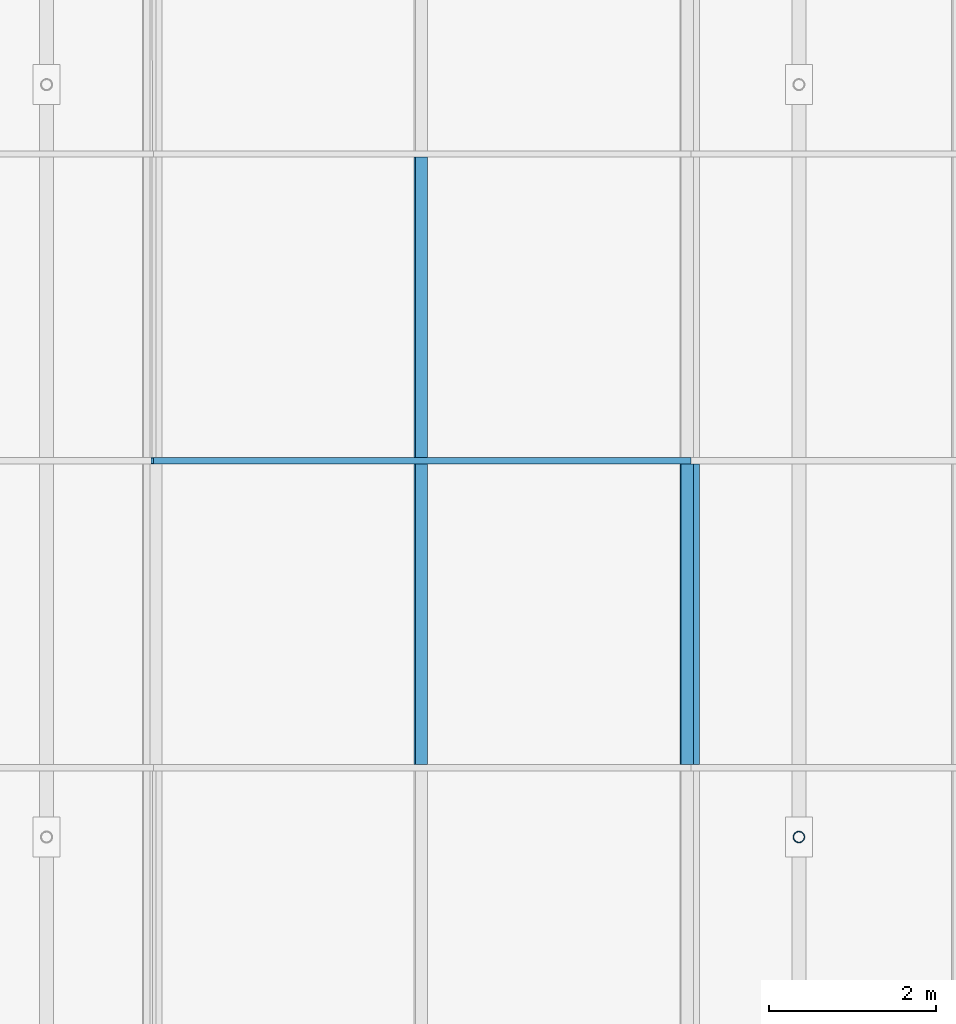
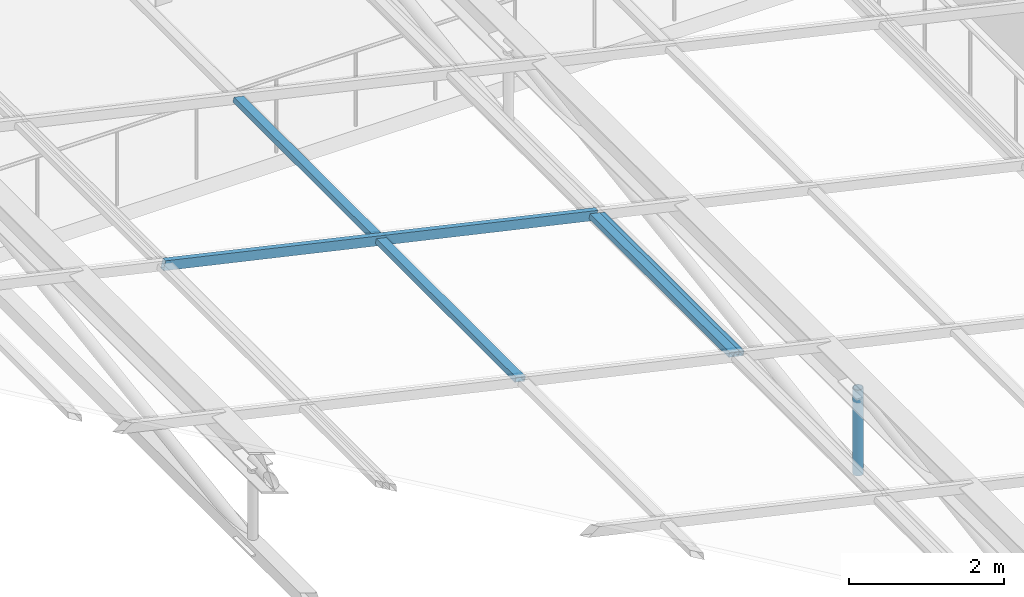
# One storey, part 72 of 130: 6 members, 2 elements without a shape of their own.
"""IFC4 building model written with IfcOpenShell, lengths in metres."""

from ifc_helpers import new_model, si_unit, direction, frame, origin, origin_2d, place, context, subcontext, project, spatial, hollow_rectangle, hollow_circle, extrude, material, material_profile, profile_set, type_object, element, aggregate, save


model = new_model("IFC4")

# Units and contexts
model_context = context("Model", 3, precision=1e-05, world=origin(), true_north=direction((0.0, 1.0)))
body_context = subcontext(model_context, "Body", "Model", "MODEL_VIEW")
ifc_project = project(units=[si_unit("LENGTHUNIT", "METRE"), si_unit("AREAUNIT", "SQUARE_METRE"), si_unit("VOLUMEUNIT", "CUBIC_METRE"), si_unit("PLANEANGLEUNIT", "RADIAN"), si_unit("MASSUNIT", "GRAM", prefix="KILO")], contexts=[model_context])

# Site, building, storey
site_placement = place(None, origin())
site = spatial("IfcSite", under=ifc_project, at=site_placement, CompositionType="ELEMENT")
building_placement = place(site_placement, origin())
building = spatial("IfcBuilding", under=site, at=building_placement, Name="Lykobir Media Centre", CompositionType="ELEMENT")
storey_placement = place(building_placement, frame((0.0, 0.0, 19.199951171875)))
storey = spatial("IfcBuildingStorey", under=building, at=storey_placement, Name="L04", CompositionType="ELEMENT", Elevation=19.199951171875)

# Member
ifc_material_1 = material(Name="Steel S355", Category="steel")
ifc_material_profile_1 = material_profile(ifc_material_1, hollow_circle(Radius=0.06982421875, WallThickness=0.008056640625, at=origin_2d()), Name="CHS 139.7x8.0")
ifc_profile_set_1 = profile_set([ifc_material_profile_1], Name="Steel S355")
member_type_1 = type_object("IfcMemberType", Name="BR-CHS140", PredefinedType="BRACE", material=ifc_profile_set_1)
member_1_placement = place(storey_placement, frame((63.0, 81.0, 4.820068359375), z_axis=(0.0, 0.0, -1.0), x_axis=(1.0, 0.0, 0.0)))
element("IfcMember", 1, at=member_1_placement, inside=storey, type_object=member_type_1, Name="Diagonal brace MEM2-L04-0630-0810-0240-0630-0810-0476", PredefinedType="BRACE", context=body_context, shape_type="SweptSolid", body=[
    extrude(hollow_circle(Radius=0.06982421875, WallThickness=0.008056640625, at=origin_2d()), origin(), (0.0, 0.0, 1.0), 1.35009765625),
])

# Curtain wall, member
ifc_material_2 = material(Name="Anodized Aluminium AW-6060", Category="aluminium")
curtain_wall_type = type_object("IfcCurtainWallType", Name="CW-V6-SKY", PredefinedType="NOTDEFINED", material=ifc_material_2)
curtain_wall_1_placement = place(storey_placement, origin())
curtain_wall_1 = element("IfcCurtainWall", 2, at=curtain_wall_1_placement, inside=storey, type_object=curtain_wall_type, Name="Curtain wall CW-V6-SKY03", PredefinedType="NOTDEFINED")
ifc_material_profile_2 = material_profile(ifc_material_2, hollow_rectangle(XDim=0.074951171875, YDim=0.14990234375, WallThickness=0.00341796875, at=origin_2d()), Name="ALU TRANSOM 75x150")
ifc_profile_set_2 = profile_set([ifc_material_profile_2], Name="Anodized Aluminium AW-6060")
member_type_2 = type_object("IfcMemberType", Name="CWT-150", PredefinedType="USERDEFINED", material=ifc_profile_set_2)
member_2_placement = place(storey_placement, frame((61.728515625, 85.46240234375, 5.2646484375), z_axis=(0.0, -1.0, 0.0), x_axis=(0.221054901821, 0.0, 0.975261365164)))
member_2 = element("IfcMember", 3, at=member_2_placement, type_object=member_type_2, Name="CW-V6-SKY03 transom 7.3", ObjectType="TRANSOM", PredefinedType="USERDEFINED", context=body_context, shape_type="SweptSolid", body=[
    extrude(hollow_rectangle(XDim=0.074951171875, YDim=0.14990234375, WallThickness=0.00341796875, at=origin_2d()), origin(), (0.0, 0.0, 1.0), 3.594970703125),
])
aggregate(curtain_wall_1, [member_2])

# Curtain wall, members
curtain_wall_2_placement = place(storey_placement, origin())
curtain_wall_2 = element("IfcCurtainWall", 4, at=curtain_wall_2_placement, inside=storey, type_object=curtain_wall_type, Name="Curtain wall CW-V6-SKY04", PredefinedType="NOTDEFINED")
member_3_placement = place(storey_placement, frame((61.69189453125, 85.5, 5.27294921875), z_axis=(-0.975255318588, 0.0, 0.221081576721), x_axis=(0.0, -1.0, 0.0)))
member_3 = element("IfcMember", 5, at=member_3_placement, type_object=member_type_2, Name="CW-V6-SKY04 rafter transom 7", ObjectType="TRANSOM", PredefinedType="USERDEFINED", context=body_context, shape_type="SweptSolid", body=[
    extrude(hollow_rectangle(XDim=0.074951171875, YDim=0.14990234375, WallThickness=0.00341796875, at=origin_2d()), origin(), (0.0, 0.0, 1.0), 6.591552734375),
])
member_4_placement = place(storey_placement, frame((58.477783203125, 89.132568359375, 6.00146484375), z_axis=(0.0, -1.0, 0.0), x_axis=(0.221071923309, 0.0, 0.975257506879)))
member_4 = element("IfcMember", 6, at=member_4_placement, type_object=member_type_2, Name="CW-V6-SKY04 transom 6.2", ObjectType="TRANSOM", PredefinedType="USERDEFINED", context=body_context, shape_type="SweptSolid", body=[
    extrude(hollow_rectangle(XDim=0.074951171875, YDim=0.14990234375, WallThickness=0.00341796875, at=origin_2d()), origin(), (0.0, 0.0, 1.0), 3.594970703125),
])
member_5_placement = place(storey_placement, frame((61.655517578125, 85.46240234375, 5.28125), z_axis=(0.0, -1.0, 0.0), x_axis=(0.221071923309, 0.0, 0.975257506879)))
member_5 = element("IfcMember", 7, at=member_5_placement, type_object=member_type_2, Name="CW-V6-SKY04 transom 7.1", ObjectType="TRANSOM", PredefinedType="USERDEFINED", context=body_context, shape_type="SweptSolid", body=[
    extrude(hollow_rectangle(XDim=0.074951171875, YDim=0.14990234375, WallThickness=0.00341796875, at=origin_2d()), origin(), (0.0, 0.0, 1.0), 3.594970703125),
])
member_6_placement = place(storey_placement, frame((58.477783203125, 85.46240234375, 6.00146484375), z_axis=(0.0, -1.0, 0.0), x_axis=(0.221071923309, 0.0, 0.975257506879)))
member_6 = element("IfcMember", 8, at=member_6_placement, type_object=member_type_2, Name="CW-V6-SKY04 transom 7.2", ObjectType="TRANSOM", PredefinedType="USERDEFINED", context=body_context, shape_type="SweptSolid", body=[
    extrude(hollow_rectangle(XDim=0.074951171875, YDim=0.14990234375, WallThickness=0.00341796875, at=origin_2d()), origin(), (0.0, 0.0, 1.0), 3.594970703125),
])
aggregate(curtain_wall_2, [member_3, member_4, member_5, member_6])

save(model, "model.ifc")
